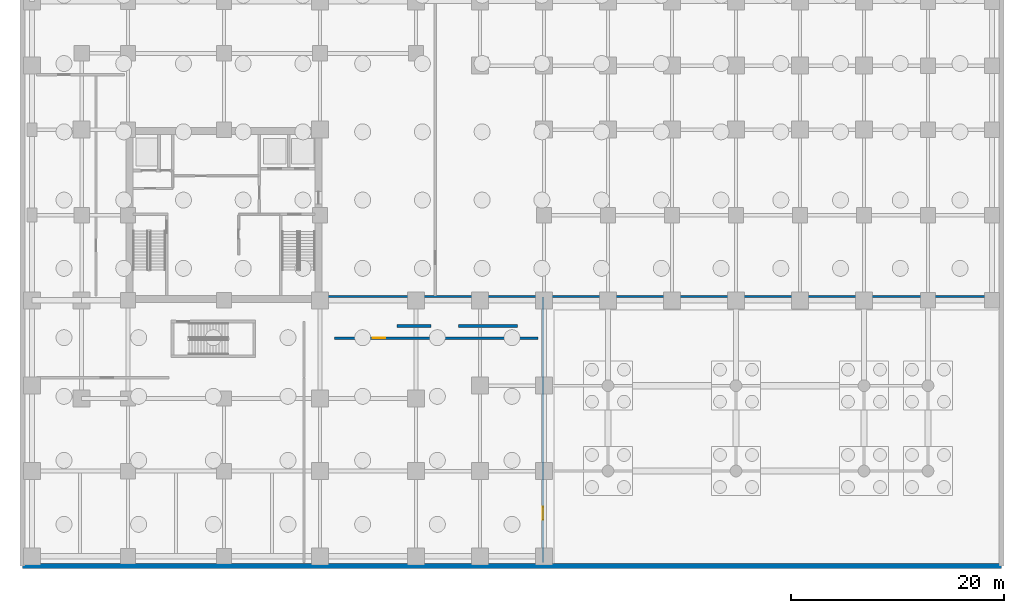
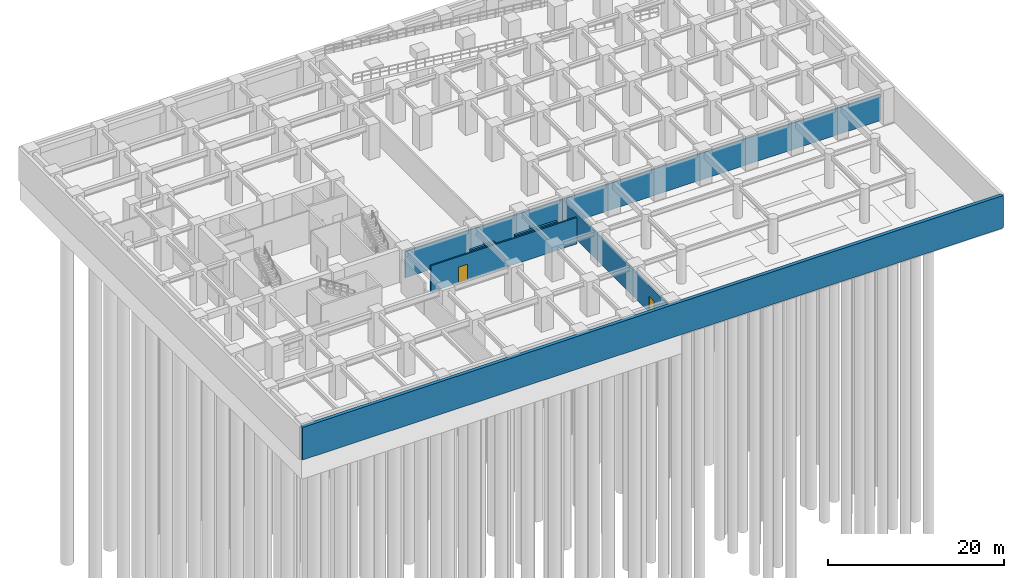
# One storey, part 6 of 11: 6 walls, 2 doors, 2 openings.
"""IFC4 building model written with IfcOpenShell, lengths in metres."""

from ifc_helpers import new_model, si_unit, direction, frame, frame_2d, origin, place, context, subcontext, project, spatial, rectangle, extrude, source, transform, mapped, material, layer, layer_set, type_object, element, fill, save


model = new_model("IFC4")

# Units and contexts
model_context = context("Model", 3, precision=1e-05, world=origin(), true_north=direction((0.0, 1.0)))
body_context = subcontext(model_context, "Body", "Model", "MODEL_VIEW")
ifc_project = project(units=[si_unit("LENGTHUNIT", "METRE"), si_unit("AREAUNIT", "SQUARE_METRE"), si_unit("VOLUMEUNIT", "CUBIC_METRE"), si_unit("PLANEANGLEUNIT", "RADIAN"), si_unit("MASSUNIT", "GRAM", prefix="KILO")], contexts=[model_context])

# Site, building, storey
site_placement = place(None, origin())
site = spatial("IfcSite", under=ifc_project, at=site_placement, CompositionType="ELEMENT")
building_placement = place(site_placement, origin())
building = spatial("IfcBuilding", under=site, at=building_placement, Name="Torre Montelarca", CompositionType="ELEMENT")
storey_placement = place(building_placement, frame((0.0, 0.0, -9.60009765625)))
storey = spatial("IfcBuildingStorey", under=building, at=storey_placement, Name="B2", CompositionType="ELEMENT", Elevation=-9.60009765625)

# Walls
ifc_material_1 = material(Name="Precast concrete C45/55", Category="concrete")
ifc_layer_1 = layer(ifc_material_1, 0.280029296875, Name="Precast concrete C45/55", Category="concrete")
ifc_layer_set_1 = layer_set([ifc_layer_1], Name="Precast concrete C45/55")
wall_type_1 = type_object("IfcWallType", Name="EW-CONC-280", PredefinedType="SOLIDWALL", material=ifc_layer_set_1)
wall_1_placement = place(storey_placement, frame((34.199951171875, 21.60009765625, 0.0), z_axis=(0.0, 0.0, 1.0), x_axis=(1.0, 0.0, 0.0)))
element("IfcWall", 1, at=wall_1_placement, inside=storey, type_object=wall_type_1, Name="B2 Substation Acoustic Plenum Wall 1", PredefinedType="SOLIDWALL", context=body_context, shape_type="SweptSolid", body=[
    extrude(rectangle(XDim=3.199951171875, YDim=0.280029296875, at=frame_2d((1.60009765625, 0.0))), origin(), (0.0, 0.0, 1.0), 3.10009765625),
])
wall_2_placement = place(storey_placement, frame((40.0, 21.60009765625, 0.0), z_axis=(0.0, 0.0, 1.0), x_axis=(1.0, 0.0, 0.0)))
element("IfcWall", 2, at=wall_2_placement, inside=storey, type_object=wall_type_1, Name="B2 Pump Acoustic Plenum Wall 2", PredefinedType="SOLIDWALL", context=body_context, shape_type="SweptSolid", body=[
    extrude(rectangle(XDim=5.5, YDim=0.280029296875, at=frame_2d((2.75, 0.0))), origin(), (0.0, 0.0, 1.0), 3.10009765625),
])
ifc_material_2 = material(Name="Concrete C40/50", Category="concrete")
ifc_layer_2 = layer(ifc_material_2, 0.449951171875, Name="Concrete C40/50", Category="concrete")
ifc_layer_set_2 = layer_set([ifc_layer_2], Name="Concrete C40/50")
wall_type_2 = type_object("IfcWallType", Name="EW-RET-450", PredefinedType="USERDEFINED", material=ifc_layer_set_2)
wall_3_placement = place(storey_placement, frame((-0.89990234375, -0.89990234375, 0.0), z_axis=(0.0, 0.0, 1.0), x_axis=(1.0, 0.0, 0.0)))
element("IfcWall", 3, at=wall_3_placement, inside=storey, type_object=wall_type_2, Name="B2 Perimeter Basement Retaining Wall 01", ObjectType="RETAINING WALL", PredefinedType="USERDEFINED", context=body_context, shape_type="SweptSolid", body=[
    extrude(rectangle(XDim=91.7998046875, YDim=0.449951171875, at=frame_2d((45.89990234375, 0.0))), origin(), (0.0, 0.0, 1.0), 4.52001953125),
])

# Wall, opening, door
ifc_material_3 = material(Name="Gypsum fireboard and rockwool on steel stud", Category="steel")
ifc_layer_3 = layer(ifc_material_3, 0.199951171875, Name="Gypsum fireboard and rockwool on steel stud", Category="steel")
ifc_layer_set_3 = layer_set([ifc_layer_3], Name="Gypsum fireboard and rockwool on steel stud")
wall_type_3 = type_object("IfcWallType", Name="PW-FIRE-200", PredefinedType="SOLIDWALL", material=ifc_layer_set_3)
wall_4_placement = place(storey_placement, frame((28.340087890625, 20.449951171875, 0.0), z_axis=(0.0, 0.0, 1.0), x_axis=(1.0, 0.0, 0.0)))
wall_4 = element("IfcWall", 4, at=wall_4_placement, inside=storey, type_object=wall_type_3, Name="B2 Interior Partition W-B2-P4", PredefinedType="SOLIDWALL", context=body_context, shape_type="SweptSolid", body=[
    extrude(rectangle(XDim=19.119873046875, YDim=0.199951171875, at=frame_2d((9.56005859375, 0.0))), origin(), (0.0, 0.0, 1.0), 3.649658203125),
])
opening_1_placement = place(wall_4_placement, frame((3.60009765625, 0.0, 0.0)))
opening_1 = element("IfcOpeningElement", 5, at=opening_1_placement, cuts=wall_4, Name="Opening FD-120", PredefinedType="OPENING", context=body_context, shape_type="SweptSolid", body=[
    extrude(rectangle(XDim=1.199951171875, YDim=2.199951171875, at=frame_2d((0.60009765625, 1.10009765625))), frame((0.0, 0.10986328125, 0.0), z_axis=(0.0, -1.0, 0.0), x_axis=(1.0, 0.0, 0.0)), (0.0, 0.0, 1.0), 0.219970703125),
])
ifc_material_4 = material(Name="Galvanized steel fire door", Category="steel")
door_type = type_object("IfcDoorType", Name="DR-FIRE-120", OperationType="NOTDEFINED", PredefinedType="DOOR", material=ifc_material_4)
shared_shape = source(origin(), body_context, "Body", "SweptSolid", [
    extrude(rectangle(XDim=1.199951171875, YDim=2.199951171875, at=frame_2d((0.60009765625, 1.10009765625))), frame((0.0, 0.02490234375, 0.0), z_axis=(0.0, -1.0, 0.0), x_axis=(1.0, 0.0, 0.0)), (0.0, 0.0, 1.0), 0.050048828125),
])
door_1_placement = place(opening_1_placement, origin())
door_1 = element("IfcDoor", 6, at=door_1_placement, inside=storey, type_object=door_type, Name="B2 Interior Door 07", OperationType="SINGLE_SWING_LEFT", OverallHeight=2.199951171875, OverallWidth=1.199951171875, PredefinedType="DOOR", context=body_context, shape_type="MappedRepresentation", body=[
    mapped(shared_shape, transform((0.0, 0.0, 0.0), scale=1.0)),
])
fill(opening_1, door_1)

# Wall
wall_5_placement = place(storey_placement, frame((27.239990234375, 24.35009765625, 0.0), z_axis=(0.0, 0.0, 1.0), x_axis=(1.0, 0.0, 0.0)))
element("IfcWall", 7, at=wall_5_placement, inside=storey, type_object=wall_type_3, Name="B2 Interior Partition W-B2-P5S", PredefinedType="SOLIDWALL", context=body_context, shape_type="SweptSolid", body=[
    extrude(rectangle(XDim=62.219970703125, YDim=0.199951171875, at=frame_2d((31.10986328125, 0.0))), origin(), (0.0, 0.0, 1.0), 3.649658203125),
])

# Wall, opening, door
wall_6_placement = place(storey_placement, frame((47.89990234375, -0.56005859375, 0.0), z_axis=(0.0, 0.0, 1.0), x_axis=(0.0, 1.0, 0.0)))
wall_6 = element("IfcWall", 8, at=wall_6_placement, inside=storey, type_object=wall_type_3, Name="B2 Interior Partition W-B2-PSE", PredefinedType="SOLIDWALL", context=body_context, shape_type="SweptSolid", body=[
    extrude(rectangle(XDim=24.8701171875, YDim=0.199951171875, at=frame_2d((12.43505859375, 0.0))), origin(), (0.0, 0.0, 1.0), 3.655029296875),
])
opening_2_placement = place(wall_6_placement, frame((4.0, 0.0, 0.0)))
opening_2 = element("IfcOpeningElement", 9, at=opening_2_placement, cuts=wall_6, Name="Opening FD-120", PredefinedType="OPENING", context=body_context, shape_type="SweptSolid", body=[
    extrude(rectangle(XDim=1.199951171875, YDim=2.199951171875, at=frame_2d((0.60009765625, 1.10009765625))), frame((0.0, 0.10986328125, 0.0), z_axis=(0.0, -1.0, 0.0), x_axis=(1.0, 0.0, 0.0)), (0.0, 0.0, 1.0), 0.219970703125),
])
door_2_placement = place(opening_2_placement, origin())
door_2 = element("IfcDoor", 10, at=door_2_placement, inside=storey, type_object=door_type, Name="B2 Interior Door 09", OperationType="SINGLE_SWING_LEFT", OverallHeight=2.199951171875, OverallWidth=1.199951171875, PredefinedType="DOOR", context=body_context, shape_type="MappedRepresentation", body=[
    mapped(shared_shape, transform((0.0, 0.0, 0.0), scale=1.0)),
])
fill(opening_2, door_2)

save(model, "model.ifc")
